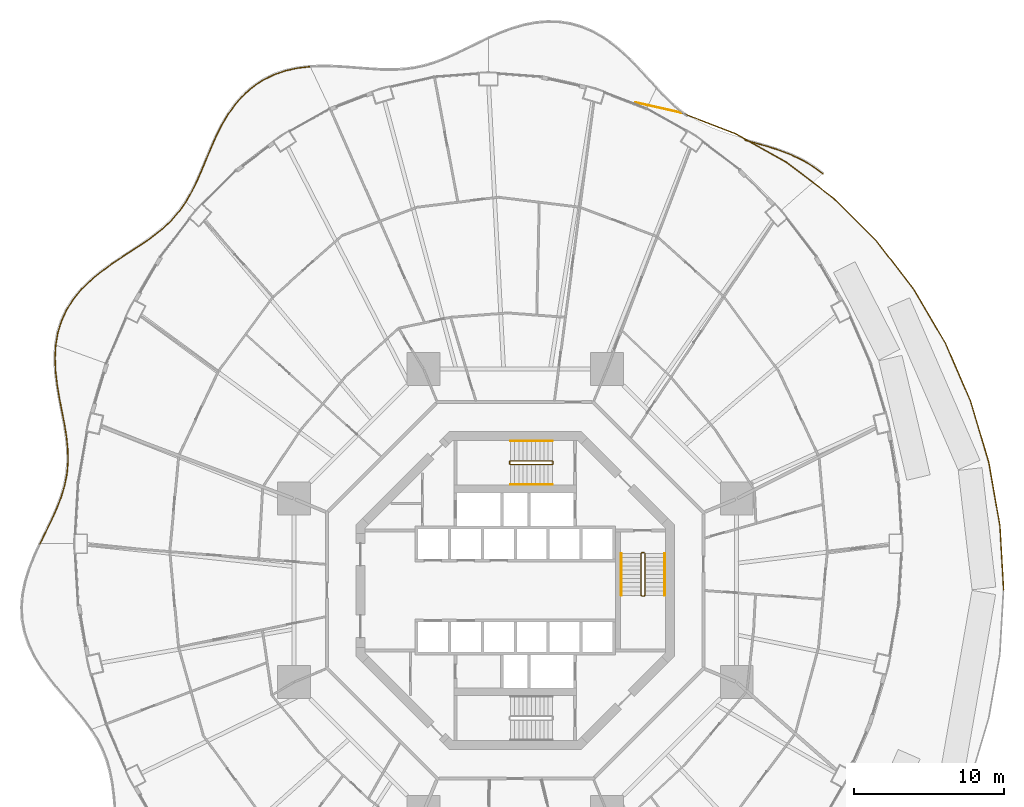
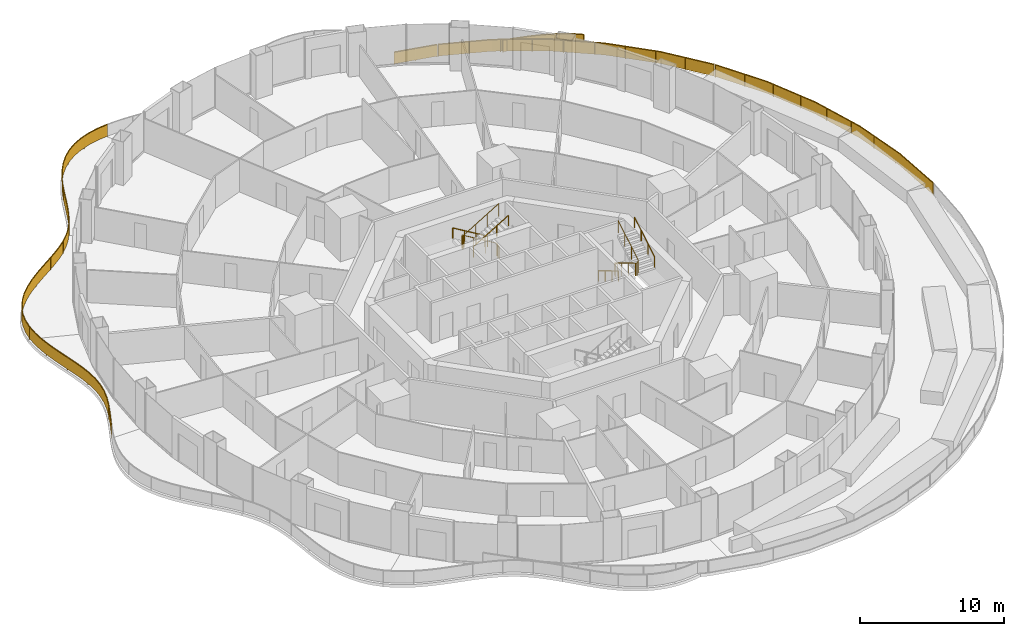
# One storey, part 21 of 22: 13 railings.
"""IFC4 building model written with IfcOpenShell, lengths in metres."""

from ifc_helpers import new_model, si_unit, direction, frame, origin, origin_2d, place, context, subcontext, project, spatial, polyline, rectangle, circle, outline, extrude, material, type_object, element, save


model = new_model("IFC4")

# Units and contexts
model_context = context("Model", 3, precision=1e-05, world=origin(), true_north=direction((0.0, 1.0)))
body_context = subcontext(model_context, "Body", "Model", "MODEL_VIEW")
ifc_project = project(units=[si_unit("LENGTHUNIT", "METRE"), si_unit("AREAUNIT", "SQUARE_METRE"), si_unit("VOLUMEUNIT", "CUBIC_METRE"), si_unit("PLANEANGLEUNIT", "RADIAN"), si_unit("MASSUNIT", "GRAM", prefix="KILO")], contexts=[model_context])

# Site, building, storey
site_placement = place(None, origin())
site = spatial("IfcSite", under=ifc_project, at=site_placement, CompositionType="ELEMENT")
building_placement = place(site_placement, origin())
building = spatial("IfcBuilding", under=site, at=building_placement, Name="Nagisa Residences", CompositionType="ELEMENT")
storey_placement = place(building_placement, frame((0.0, 0.0, 73.300048828125)))
storey = spatial("IfcBuildingStorey", under=building, at=storey_placement, Name="L17", CompositionType="ELEMENT", Elevation=73.300048828125)

# Railings
ifc_material_1 = material(Name="Stainless steel 316", Category="steel")
railing_type_1 = type_object("IfcRailingType", Name="BALCONY GUARD 1100", PredefinedType="BALUSTRADE", material=ifc_material_1)
railing_1_placement = place(storey_placement, frame((20.52734375, 27.8134765625, 0.0)))
element("IfcRailing", 1, at=railing_1_placement, inside=storey, type_object=railing_type_1, Name="guard:L17:bal02-0", PredefinedType="BALUSTRADE", context=body_context, shape_type="SweptSolid", body=[
    extrude(outline(polyline([(-0.656982421875, 0.46435546875), (-0.01513671875, -0.02001953125), (0.01513671875, 0.02001953125), (-0.629150390625, 0.505859375), (-1.34130859375, 0.93017578125), (-2.101806640625, 1.290283203125), (-2.8955078125, 1.595947265625), (-3.707275390625, 1.858154296875), (-4.5087890625, 2.080810546875), (-5.199951171875, 2.270263671875), (-5.213134765625, 2.221923828125), (-4.52197265625, 2.032470703125), (-3.721435546875, 1.810302734375), (-2.912109375, 1.548583984375), (-2.121337890625, 1.244384765625), (-1.36474609375, 0.8857421875), (-0.656982421875, 0.46435546875)])), frame((0.0, 0.0, 1.050048828125)), (0.0, 0.0, 1.0), 0.050048828125),
    extrude(outline(polyline([(-0.64697265625, 0.479248046875), (-0.004150390625, -0.005615234375), (0.004150390625, 0.005615234375), (-0.63916015625, 0.490966796875), (-1.349609375, 0.9140625), (-2.10888671875, 1.273681640625), (-2.9013671875, 1.578857421875), (-3.71240234375, 1.8408203125), (-4.513427734375, 2.0634765625), (-5.20458984375, 2.2529296875), (-5.20849609375, 2.2392578125), (-4.517333984375, 2.0498046875), (-3.71630859375, 1.82763671875), (-2.90625, 1.565673828125), (-2.1142578125, 1.260986328125), (-1.3564453125, 0.90185546875), (-0.64697265625, 0.479248046875)])), frame((0.0, 0.0, 0.06005859375)), (0.0, 0.0, 1.0), 0.989990234375),
    extrude(rectangle(XDim=0.0400390625, YDim=0.0400390625, at=origin_2d()), origin(), (0.0, 0.0, 1.0), 1.050048828125),
    extrude(rectangle(XDim=0.0400390625, YDim=0.0400390625, at=origin_2d()), frame((-1.601318359375, 1.025634765625, 0.0)), (0.0, 0.0, 1.0), 1.050048828125),
    extrude(rectangle(XDim=0.0400390625, YDim=0.0400390625, at=origin_2d()), frame((-3.373046875, 1.723876953125, 0.0)), (0.0, 0.0, 1.0), 1.050048828125),
    extrude(rectangle(XDim=0.0400390625, YDim=0.0400390625, at=origin_2d()), frame((-5.20654296875, 2.24609375, 0.0)), (0.0, 0.0, 1.0), 1.050048828125),
])
railing_2_placement = place(storey_placement, frame((-13.686279296875, 34.9658203125, 0.0)))
element("IfcRailing", 2, at=railing_2_placement, inside=storey, type_object=railing_type_1, Name="guard:L17:bal05-0", PredefinedType="BALUSTRADE", context=body_context, shape_type="SweptSolid", body=[
    extrude(outline(polyline([(-0.829833984375, -0.119873046875), (0.0029296875, -0.02490234375), (-0.0029296875, 0.02490234375), (-0.838134765625, -0.070556640625), (-1.656494140625, -0.250244140625), (-2.4375, -0.5185546875), (-3.171142578125, -0.8798828125), (-3.847412109375, -1.33203125), (-4.451416015625, -1.863525390625), (-5.00439453125, -2.48046875), (-5.4951171875, -3.16162109375), (-5.9287109375, -3.891845703125), (-6.31396484375, -4.654052734375), (-6.6494140625, -5.420654296875), (-6.973876953125, -6.1962890625), (-7.2890625, -6.955322265625), (-7.61083984375, -7.685302734375), (-7.953369140625, -8.37646484375), (-8.324951171875, -9.018310546875), (-8.281494140625, -9.043212890625), (-7.909423828125, -8.39990234375), (-7.5654296875, -7.706298828125), (-7.2431640625, -6.974853515625), (-6.927490234375, -6.21533203125), (-6.603515625, -5.440185546875), (-6.2685546875, -4.675537109375), (-5.884765625, -3.915771484375), (-5.453125, -3.18896484375), (-4.96533203125, -2.51171875), (-4.416259765625, -1.899169921875), (-3.816650390625, -1.37158203125), (-3.146240234375, -0.92333984375), (-2.41845703125, -0.56494140625), (-1.642822265625, -0.298583984375), (-0.829833984375, -0.119873046875)])), frame((0.0, 0.0, 1.050048828125)), (0.0, 0.0, 1.0), 0.050048828125),
    extrude(outline(polyline([(-0.832763671875, -0.10205078125), (0.000732421875, -0.0068359375), (-0.000732421875, 0.0068359375), (-0.835205078125, -0.08837890625), (-1.651611328125, -0.267578125), (-2.4306640625, -0.53515625), (-3.162109375, -0.8955078125), (-3.83642578125, -1.34619140625), (-4.438720703125, -1.87646484375), (-4.990234375, -2.49169921875), (-5.47998046875, -3.17138671875), (-5.912841796875, -3.900390625), (-6.297607421875, -4.661865234375), (-6.6328125, -5.427734375), (-6.95703125, -6.203125), (-7.2724609375, -6.96240234375), (-7.594482421875, -7.69287109375), (-7.9375, -8.384765625), (-8.309326171875, -9.02734375), (-8.297119140625, -9.0341796875), (-7.92529296875, -8.3916015625), (-7.581787109375, -7.69873046875), (-7.259765625, -6.9677734375), (-6.9443359375, -6.20849609375), (-6.6201171875, -5.43310546875), (-6.284912109375, -4.667724609375), (-5.900634765625, -3.9072265625), (-5.46826171875, -3.17919921875), (-4.9794921875, -2.50048828125), (-4.428955078125, -1.88623046875), (-3.82763671875, -1.357421875), (-3.1552734375, -0.90771484375), (-2.42529296875, -0.54833984375), (-1.647705078125, -0.28125), (-0.832763671875, -0.10205078125)])), frame((0.0, 0.0, 0.06005859375)), (0.0, 0.0, 1.0), 0.989990234375),
    extrude(rectangle(XDim=0.0400390625, YDim=0.0400390625, at=origin_2d()), origin(), (0.0, 0.0, 1.0), 1.050048828125),
    extrude(rectangle(XDim=0.0400390625, YDim=0.0400390625, at=origin_2d()), frame((-2.130615234375, -0.439697265625, 0.0)), (0.0, 0.0, 1.0), 1.050048828125),
    extrude(rectangle(XDim=0.0400390625, YDim=0.0400390625, at=origin_2d()), frame((-4.015380859375, -1.51318359375, 0.0)), (0.0, 0.0, 1.0), 1.050048828125),
    extrude(rectangle(XDim=0.0400390625, YDim=0.0400390625, at=origin_2d()), frame((-5.452392578125, -3.145263671875, 0.0)), (0.0, 0.0, 1.0), 1.050048828125),
    extrude(rectangle(XDim=0.0400390625, YDim=0.0400390625, at=origin_2d()), frame((-6.47021484375, -5.073486328125, 0.0)), (0.0, 0.0, 1.0), 1.050048828125),
    extrude(rectangle(XDim=0.0400390625, YDim=0.0400390625, at=origin_2d()), frame((-7.31884765625, -7.084716796875, 0.0)), (0.0, 0.0, 1.0), 1.050048828125),
    extrude(rectangle(XDim=0.0400390625, YDim=0.0400390625, at=origin_2d()), frame((-8.30322265625, -9.03076171875, 0.0)), (0.0, 0.0, 1.0), 1.050048828125),
])
railing_3_placement = place(storey_placement, frame((-21.989501953125, 25.93505859375, 0.0)))
element("IfcRailing", 3, at=railing_3_placement, inside=storey, type_object=railing_type_1, Name="guard:L17:bal06-0", PredefinedType="BALUSTRADE", context=body_context, shape_type="SweptSolid", body=[
    extrude(outline(polyline([(-0.4189453125, -0.639892578125), (0.0205078125, -0.014404296875), (-0.0205078125, 0.014404296875), (-0.45849609375, -0.609130859375), (-0.957275390625, -1.188232421875), (-1.51611328125, -1.72412109375), (-2.1328125, -2.225830078125), (-2.80078125, -2.704833984375), (-3.49951171875, -3.162353515625), (-4.22998046875, -3.636962890625), (-4.96484375, -4.129638671875), (-5.6826171875, -4.65185546875), (-6.36181640625, -5.2138671875), (-6.975830078125, -5.808837890625), (-7.52001953125, -6.467529296875), (-7.972412109375, -7.176513671875), (-8.32421875, -7.932861328125), (-8.571044921875, -8.731201171875), (-8.711669921875, -9.555419921875), (-8.662353515625, -9.563720703125), (-8.522216796875, -8.742919921875), (-8.27734375, -7.950927734375), (-7.928466796875, -7.200439453125), (-7.4794921875, -6.496826171875), (-6.939208984375, -5.843017578125), (-6.32861328125, -5.2509765625), (-5.65185546875, -4.69140625), (-4.93603515625, -4.170654296875), (-4.20263671875, -3.678955078125), (-3.47216796875, -3.204345703125), (-2.7724609375, -2.746337890625), (-2.1025390625, -2.265380859375), (-1.48291015625, -1.76171875), (-0.921142578125, -1.222900390625), (-0.4189453125, -0.639892578125)])), frame((0.0, 0.0, 1.050048828125)), (0.0, 0.0, 1.0), 0.050048828125),
    extrude(outline(polyline([(-0.43310546875, -0.62890625), (0.005615234375, -0.00390625), (-0.005615234375, 0.00390625), (-0.4443359375, -0.6201171875), (-0.9443359375, -1.20068359375), (-1.504150390625, -1.737548828125), (-2.121826171875, -2.239990234375), (-2.79052734375, -2.7197265625), (-3.48974609375, -3.177490234375), (-4.22021484375, -3.652099609375), (-4.954345703125, -4.144287109375), (-5.671630859375, -4.666015625), (-6.349853515625, -5.227294921875), (-6.962646484375, -5.8212890625), (-7.50537109375, -6.47802734375), (-7.95654296875, -7.18505859375), (-8.307373046875, -7.939453125), (-8.553466796875, -8.7353515625), (-8.69384765625, -9.558349609375), (-8.68017578125, -9.560791015625), (-8.539794921875, -8.73876953125), (-8.294189453125, -7.9443359375), (-7.9443359375, -7.19189453125), (-7.494140625, -6.486328125), (-6.952392578125, -5.83056640625), (-6.340576171875, -5.237548828125), (-5.662841796875, -4.67724609375), (-4.946533203125, -4.156005859375), (-4.21240234375, -3.663818359375), (-3.48193359375, -3.189208984375), (-2.78271484375, -2.7314453125), (-2.113525390625, -2.251220703125), (-1.494873046875, -1.748291015625), (-0.93408203125, -1.21044921875), (-0.43310546875, -0.62890625)])), frame((0.0, 0.0, 0.06005859375)), (0.0, 0.0, 1.0), 0.989990234375),
    extrude(rectangle(XDim=0.0400390625, YDim=0.0400390625, at=origin_2d()), origin(), (0.0, 0.0, 1.0), 1.050048828125),
    extrude(rectangle(XDim=0.0400390625, YDim=0.0400390625, at=origin_2d()), frame((-1.4375, -1.683349609375, 0.0)), (0.0, 0.0, 1.0), 1.050048828125),
    extrude(rectangle(XDim=0.0400390625, YDim=0.0400390625, at=origin_2d()), frame((-3.217041015625, -3.00732421875, 0.0)), (0.0, 0.0, 1.0), 1.050048828125),
    extrude(rectangle(XDim=0.0400390625, YDim=0.0400390625, at=origin_2d()), frame((-5.067138671875, -4.235107421875, 0.0)), (0.0, 0.0, 1.0), 1.050048828125),
    extrude(rectangle(XDim=0.0400390625, YDim=0.0400390625, at=origin_2d()), frame((-6.77490234375, -5.64892578125, 0.0)), (0.0, 0.0, 1.0), 1.050048828125),
    extrude(rectangle(XDim=0.0400390625, YDim=0.0400390625, at=origin_2d()), frame((-8.0673828125, -7.439697265625, 0.0)), (0.0, 0.0, 1.0), 1.050048828125),
    extrude(rectangle(XDim=0.0400390625, YDim=0.0400390625, at=origin_2d()), frame((-8.68701171875, -9.5595703125, 0.0)), (0.0, 0.0, 1.0), 1.050048828125),
])
railing_4_placement = place(storey_placement, frame((-30.676513671875, 16.37548828125, 0.0)))
element("IfcRailing", 4, at=railing_4_placement, inside=storey, type_object=railing_type_1, Name="guard:L17:bal07-0", PredefinedType="BALUSTRADE", context=body_context, shape_type="SweptSolid", body=[
    extrude(outline(polyline([(-0.0205078125, -0.875), (0.02490234375, -0.001220703125), (-0.02490234375, 0.001220703125), (-0.07080078125, -0.875), (-0.03125, -1.7744140625), (0.075927734375, -2.678466796875), (0.227294921875, -3.576904296875), (0.39794921875, -4.46240234375), (0.5654296875, -5.31494140625), (0.69873046875, -6.15869140625), (0.7802734375, -6.979736328125), (0.793701171875, -7.780029296875), (0.728515625, -8.56396484375), (0.58251953125, -9.32373046875), (0.35546875, -10.09326171875), (0.058349609375, -10.8662109375), (-0.29296875, -11.647705078125), (-0.677490234375, -12.442626953125), (-1.071044921875, -13.246826171875), (-1.026123046875, -13.268798828125), (-0.632568359375, -12.464599609375), (-0.24755859375, -11.668701171875), (0.104736328125, -10.88525390625), (0.40283203125, -10.109375), (0.63134765625, -9.33544921875), (0.7783203125, -8.57080078125), (0.843994140625, -7.781494140625), (0.830078125, -6.976806640625), (0.74853515625, -6.15234375), (0.61474609375, -5.30615234375), (0.447265625, -4.45263671875), (0.276611328125, -3.568115234375), (0.125244140625, -2.671142578125), (0.0185546875, -1.7705078125), (-0.0205078125, -0.875)])), frame((0.0, 0.0, 1.050048828125)), (0.0, 0.0, 1.0), 0.050048828125),
    extrude(outline(polyline([(-0.03857421875, -0.875), (0.007080078125, -0.000244140625), (-0.007080078125, 0.000244140625), (-0.052734375, -0.875), (-0.013427734375, -1.77294921875), (0.09375, -2.67578125), (0.2451171875, -3.57373046875), (0.415771484375, -4.458740234375), (0.583251953125, -5.311767578125), (0.716796875, -6.156494140625), (0.798095703125, -6.978759765625), (0.811767578125, -7.780517578125), (0.74658203125, -8.56640625), (0.60009765625, -9.327880859375), (0.37255859375, -10.09912109375), (0.0751953125, -10.873046875), (-0.276611328125, -11.6552734375), (-0.661376953125, -12.450439453125), (-1.054931640625, -13.254638671875), (-1.042236328125, -13.260986328125), (-0.648681640625, -12.456787109375), (-0.263916015625, -11.6611328125), (0.087890625, -10.87841796875), (0.3857421875, -10.103515625), (0.61376953125, -9.331298828125), (0.76025390625, -8.568359375), (0.825927734375, -7.781005859375), (0.812255859375, -6.977783203125), (0.73046875, -6.154541015625), (0.596923828125, -5.309326171875), (0.429443359375, -4.456298828125), (0.2587890625, -3.5712890625), (0.107421875, -2.673828125), (0.000732421875, -1.77197265625), (-0.03857421875, -0.875)])), frame((0.0, 0.0, 0.06005859375)), (0.0, 0.0, 1.0), 0.989990234375),
    extrude(rectangle(XDim=0.0400390625, YDim=0.0400390625, at=origin_2d()), origin(), (0.0, 0.0, 1.0), 1.050048828125),
    extrude(rectangle(XDim=0.0400390625, YDim=0.0400390625, at=origin_2d()), frame((0.05322265625, -2.275390625, 0.0)), (0.0, 0.0, 1.0), 1.050048828125),
    extrude(rectangle(XDim=0.0400390625, YDim=0.0400390625, at=origin_2d()), frame((0.435546875, -4.523193359375, 0.0)), (0.0, 0.0, 1.0), 1.050048828125),
    extrude(rectangle(XDim=0.0400390625, YDim=0.0400390625, at=origin_2d()), frame((0.78515625, -6.775634765625, 0.0)), (0.0, 0.0, 1.0), 1.050048828125),
    extrude(rectangle(XDim=0.0400390625, YDim=0.0400390625, at=origin_2d()), frame((0.661865234375, -9.0439453125, 0.0)), (0.0, 0.0, 1.0), 1.050048828125),
    extrude(rectangle(XDim=0.0400390625, YDim=0.0400390625, at=origin_2d()), frame((-0.064453125, -11.200439453125, 0.0)), (0.0, 0.0, 1.0), 1.050048828125),
    extrude(rectangle(XDim=0.0400390625, YDim=0.0400390625, at=origin_2d()), frame((-1.048583984375, -13.2578125, 0.0)), (0.0, 0.0, 1.0), 1.050048828125),
])
ifc_material_2 = material(Name="Stainless steel 316", Category="steel")
railing_type_2 = type_object("IfcRailingType", Name="ROOF GUARD 1100", PredefinedType="GUARDRAIL", material=ifc_material_2)
railing_5_placement = place(storey_placement, frame((32.59765625, 0.0400390625, 0.0)))
element("IfcRailing", 5, at=railing_5_placement, inside=storey, type_object=railing_type_2, Name="guard:L17:garden00", PredefinedType="GUARDRAIL", context=body_context, shape_type="SweptSolid", body=[
    extrude(outline(polyline([(-0.270751953125, 4.264404296875), (-0.02490234375, -0.00146484375), (0.02490234375, 0.00146484375), (-0.220947265625, 4.270263671875), (-0.96142578125, 8.5068359375), (-2.181640625, 12.59716796875), (-3.8603515625, 16.471435546875), (-5.94873046875, 20.02734375), (-5.99169921875, 20.001953125), (-3.9052734375, 16.448486328125), (-2.228515625, 12.580078125), (-1.01025390625, 8.4951171875), (-0.270751953125, 4.264404296875)])), frame((0.0, 0.0, 1.050048828125)), (0.0, 0.0, 1.0), 0.050048828125),
    extrude(outline(polyline([(-0.2529296875, 4.2666015625), (-0.007080078125, -0.00048828125), (0.007080078125, 0.00048828125), (-0.23876953125, 4.26806640625), (-0.97900390625, 8.502685546875), (-2.198486328125, 12.591064453125), (-3.87646484375, 16.463134765625), (-5.964111328125, 20.018310546875), (-5.976318359375, 20.010986328125), (-3.88916015625, 16.456787109375), (-2.211669921875, 12.586181640625), (-0.99267578125, 8.499267578125), (-0.2529296875, 4.2666015625)])), frame((0.0, 0.0, 0.06005859375)), (0.0, 0.0, 1.0), 0.989990234375),
    extrude(rectangle(XDim=0.0400390625, YDim=0.0400390625, at=origin_2d()), origin(), (0.0, 0.0, 1.0), 1.050048828125),
    extrude(rectangle(XDim=0.0400390625, YDim=0.0400390625, at=origin_2d()), frame((-0.13525390625, 2.349365234375, 0.0)), (0.0, 0.0, 1.0), 1.050048828125),
    extrude(rectangle(XDim=0.0400390625, YDim=0.0400390625, at=origin_2d()), frame((-0.3203125, 4.693115234375, 0.0)), (0.0, 0.0, 1.0), 1.050048828125),
    extrude(rectangle(XDim=0.0400390625, YDim=0.0400390625, at=origin_2d()), frame((-0.725341796875, 7.01123046875, 0.0)), (0.0, 0.0, 1.0), 1.050048828125),
    extrude(rectangle(XDim=0.0400390625, YDim=0.0400390625, at=origin_2d()), frame((-1.22607421875, 9.306640625, 0.0)), (0.0, 0.0, 1.0), 1.050048828125),
    extrude(rectangle(XDim=0.0400390625, YDim=0.0400390625, at=origin_2d()), frame((-1.898681640625, 11.561767578125, 0.0)), (0.0, 0.0, 1.0), 1.050048828125),
    extrude(rectangle(XDim=0.0400390625, YDim=0.0400390625, at=origin_2d()), frame((-2.71484375, 13.7646484375, 0.0)), (0.0, 0.0, 1.0), 1.050048828125),
    extrude(rectangle(XDim=0.0400390625, YDim=0.0400390625, at=origin_2d()), frame((-3.650390625, 15.923828125, 0.0)), (0.0, 0.0, 1.0), 1.050048828125),
    extrude(rectangle(XDim=0.0400390625, YDim=0.0400390625, at=origin_2d()), frame((-4.778564453125, 17.9853515625, 0.0)), (0.0, 0.0, 1.0), 1.050048828125),
    extrude(rectangle(XDim=0.0400390625, YDim=0.0400390625, at=origin_2d()), frame((-5.97021484375, 20.0146484375, 0.0)), (0.0, 0.0, 1.0), 1.050048828125),
])
railing_6_placement = place(storey_placement, frame((26.582763671875, 20.120849609375, 0.0)))
element("IfcRailing", 6, at=railing_6_placement, inside=storey, type_object=railing_type_2, Name="guard:L17:garden01", PredefinedType="GUARDRAIL", context=body_context, shape_type="SweptSolid", body=[
    extrude(outline(polyline([(-2.495361328125, 3.197021484375), (-0.019775390625, -0.015380859375), (0.019775390625, 0.015380859375), (-2.457763671875, 3.230224609375), (-5.31201171875, 6.07861328125), (-8.468994140625, 8.47900390625), (-11.874267578125, 10.389892578125), (-15.4306640625, 11.763671875), (-15.44873046875, 11.716796875), (-11.895751953125, 10.344482421875), (-8.496337890625, 8.43701171875), (-5.34521484375, 6.041015625), (-2.495361328125, 3.197021484375)])), frame((0.0, 0.0, 1.050048828125)), (0.0, 0.0, 1.0), 0.050048828125),
    extrude(outline(polyline([(-2.48193359375, 3.208984375), (-0.005615234375, -0.00439453125), (0.005615234375, 0.00439453125), (-2.47119140625, 3.21826171875), (-5.323974609375, 6.065185546875), (-8.478759765625, 8.4638671875), (-11.882080078125, 10.37353515625), (-15.437255859375, 11.746826171875), (-15.442138671875, 11.733642578125), (-11.887939453125, 10.36083984375), (-8.486572265625, 8.4521484375), (-5.333251953125, 6.054443359375), (-2.48193359375, 3.208984375)])), frame((0.0, 0.0, 0.06005859375)), (0.0, 0.0, 1.0), 0.989990234375),
    extrude(rectangle(XDim=0.0400390625, YDim=0.0400390625, at=origin_2d()), origin(), (0.0, 0.0, 1.0), 1.050048828125),
    extrude(rectangle(XDim=0.0400390625, YDim=0.0400390625, at=origin_2d()), frame((-1.34033203125, 1.739013671875, 0.0)), (0.0, 0.0, 1.0), 1.050048828125),
    extrude(rectangle(XDim=0.0400390625, YDim=0.0400390625, at=origin_2d()), frame((-2.713134765625, 3.44970703125, 0.0)), (0.0, 0.0, 1.0), 1.050048828125),
    extrude(rectangle(XDim=0.0400390625, YDim=0.0400390625, at=origin_2d()), frame((-4.26708984375, 5.00048828125, 0.0)), (0.0, 0.0, 1.0), 1.050048828125),
    extrude(rectangle(XDim=0.0400390625, YDim=0.0400390625, at=origin_2d()), frame((-5.8828125, 6.481201171875, 0.0)), (0.0, 0.0, 1.0), 1.050048828125),
    extrude(rectangle(XDim=0.0400390625, YDim=0.0400390625, at=origin_2d()), frame((-7.630615234375, 7.81005859375, 0.0)), (0.0, 0.0, 1.0), 1.050048828125),
    extrude(rectangle(XDim=0.0400390625, YDim=0.0400390625, at=origin_2d()), frame((-9.4638671875, 9.008544921875, 0.0)), (0.0, 0.0, 1.0), 1.050048828125),
    extrude(rectangle(XDim=0.0400390625, YDim=0.0400390625, at=origin_2d()), frame((-11.378662109375, 10.0830078125, 0.0)), (0.0, 0.0, 1.0), 1.050048828125),
    extrude(rectangle(XDim=0.0400390625, YDim=0.0400390625, at=origin_2d()), frame((-13.3916015625, 10.94921875, 0.0)), (0.0, 0.0, 1.0), 1.050048828125),
    extrude(rectangle(XDim=0.0400390625, YDim=0.0400390625, at=origin_2d()), frame((-15.439697265625, 11.740234375, 0.0)), (0.0, 0.0, 1.0), 1.050048828125),
])
railing_7_placement = place(storey_placement, frame((11.066650390625, 31.88427734375, 0.0)))
element("IfcRailing", 7, at=railing_7_placement, inside=storey, type_object=railing_type_2, Name="guard:L17:garden02", PredefinedType="GUARDRAIL", context=body_context, shape_type="SweptSolid", body=[
    extrude(outline(polyline([(-3.0595703125, 0.6669921875), (-0.005615234375, -0.0244140625), (0.005615234375, 0.0244140625), (-3.04833984375, 0.7158203125), (-3.0595703125, 0.6669921875)])), frame((0.0, 0.0, 1.050048828125)), (0.0, 0.0, 1.0), 0.050048828125),
    extrude(outline(polyline([(-3.055419921875, 0.6845703125), (-0.00146484375, -0.0068359375), (0.00146484375, 0.0068359375), (-3.052490234375, 0.6982421875), (-3.055419921875, 0.6845703125)])), frame((0.0, 0.0, 0.06005859375)), (0.0, 0.0, 1.0), 0.989990234375),
    extrude(rectangle(XDim=0.0400390625, YDim=0.0400390625, at=origin_2d()), origin(), (0.0, 0.0, 1.0), 1.050048828125),
    extrude(rectangle(XDim=0.0400390625, YDim=0.0400390625, at=origin_2d()), frame((-1.52685546875, 0.345703125, 0.0)), (0.0, 0.0, 1.0), 1.050048828125),
    extrude(rectangle(XDim=0.0400390625, YDim=0.0400390625, at=origin_2d()), frame((-3.053955078125, 0.69140625, 0.0)), (0.0, 0.0, 1.0), 1.050048828125),
])
ifc_material_3 = material(Name="Stainless steel", Category="steel")
railing_type_3 = type_object("IfcRailingType", Name="Stair guard 1100", PredefinedType="GUARDRAIL", material=ifc_material_3)
railing_8_placement = place(storey_placement, frame((8.599609375, 2.52490234375, 0.0)))
element("IfcRailing", 8, at=railing_8_placement, inside=storey, type_object=railing_type_3, Name="L17 ST-E stair guard 1", PredefinedType="GUARDRAIL", context=body_context, shape_type="SweptSolid", body=[
    extrude(circle(Radius=0.02392578125, at=origin_2d()), frame((0.0, 0.0, 1.076171875), z_axis=(-1.0, 0.0, 0.0), x_axis=(0.0, -1.0, 0.0)), (0.0, 0.0, 1.0), 0.14990234375),
    extrude(circle(Radius=0.02392578125, at=origin_2d()), frame((-0.14990234375, 0.0, 1.076171875), z_axis=(-0.27434429532, -0.273006030465, 0.922064485248), x_axis=(0.705375805398, -0.708833529934, 0.0)), (0.0, 0.0, 1.0), 0.182373046875),
    extrude(circle(Radius=0.02392578125, at=origin_2d()), frame((-0.199951171875, -0.0498046875, 1.244140625), z_axis=(0.0, -0.857275202839, 0.514858452973), x_axis=(1.0, 0.0, 0.0)), (0.0, 0.0, 1.0), 3.26611328125),
    extrude(circle(Radius=0.02392578125, at=origin_2d()), frame((-0.199951171875, -2.849853515625, 2.92578125), z_axis=(0.707106781187, -0.707106781187, 0.0), x_axis=(0.707106781187, 0.707106781187, 0.0)), (0.0, 0.0, 1.0), 0.07080078125),
    extrude(circle(Radius=0.02392578125, at=origin_2d()), frame((-0.14990234375, -2.89990234375, 2.92578125), z_axis=(1.0, 0.0, 0.0), x_axis=(0.0, 1.0, 0.0)), (0.0, 0.0, 1.0), 0.14990234375),
    extrude(circle(Radius=0.02392578125, at=origin_2d()), frame((0.0, -2.89990234375, 2.92578125), z_axis=(0.274243871929, 0.274243871929, 0.92172696468), x_axis=(-0.707106781187, 0.707106781187, 0.0)), (0.0, 0.0, 1.0), 0.1826171875),
    extrude(circle(Radius=0.02392578125, at=origin_2d()), frame((0.050048828125, -2.849853515625, 3.09423828125), z_axis=(0.0, 0.857242210791, 0.514913383045), x_axis=(-1.0, 0.0, 0.0)), (0.0, 0.0, 1.0), 3.266357421875),
    extrude(circle(Radius=0.02099609375, at=origin_2d()), origin(), (0.0, 0.0, 1.0), 1.052001953125),
    extrude(circle(Radius=0.02099609375, at=origin_2d()), frame((-0.14990234375, 0.0, 0.0)), (0.0, 0.0, 1.0), 1.052001953125),
    extrude(circle(Radius=0.02099609375, at=origin_2d()), frame((-0.199951171875, -0.0498046875, 0.168212890625)), (0.0, 0.0, 1.0), 1.052001953125),
    extrude(circle(Radius=0.02099609375, at=origin_2d()), frame((-0.199951171875, -0.983154296875, 0.728759765625)), (0.0, 0.0, 1.0), 1.052001953125),
    extrude(circle(Radius=0.02099609375, at=origin_2d()), frame((-0.199951171875, -1.91650390625, 1.289306640625)), (0.0, 0.0, 1.0), 1.052001953125),
    extrude(circle(Radius=0.02099609375, at=origin_2d()), frame((-0.199951171875, -2.849853515625, 1.849853515625)), (0.0, 0.0, 1.0), 1.052001953125),
    extrude(circle(Radius=0.02099609375, at=origin_2d()), frame((-0.14990234375, -2.89990234375, 1.849853515625)), (0.0, 0.0, 1.0), 1.052001953125),
    extrude(circle(Radius=0.02099609375, at=origin_2d()), frame((0.0, -2.89990234375, 1.849853515625)), (0.0, 0.0, 1.0), 1.052001953125),
    extrude(circle(Radius=0.02099609375, at=origin_2d()), frame((0.050048828125, -2.849853515625, 2.01806640625)), (0.0, 0.0, 1.0), 1.052001953125),
    extrude(circle(Radius=0.02099609375, at=origin_2d()), frame((0.050048828125, -1.91650390625, 2.57861328125)), (0.0, 0.0, 1.0), 1.052001953125),
    extrude(circle(Radius=0.02099609375, at=origin_2d()), frame((0.050048828125, -0.983154296875, 3.139404296875)), (0.0, 0.0, 1.0), 1.052001953125),
    extrude(circle(Radius=0.02099609375, at=origin_2d()), frame((0.050048828125, -0.0498046875, 3.699951171875)), (0.0, 0.0, 1.0), 1.052001953125),
])
railing_9_placement = place(storey_placement, frame((2.52490234375, 8.44970703125, 0.0)))
element("IfcRailing", 9, at=railing_9_placement, inside=storey, type_object=railing_type_3, Name="L17 ST-N stair guard 1", PredefinedType="GUARDRAIL", context=body_context, shape_type="SweptSolid", body=[
    extrude(circle(Radius=0.02392578125, at=origin_2d()), frame((0.0, 0.0, 1.076171875), z_axis=(0.0, 1.0, 0.0), x_axis=(-1.0, 0.0, 0.0)), (0.0, 0.0, 1.0), 0.14990234375),
    extrude(circle(Radius=0.02392578125, at=origin_2d()), frame((0.0, 0.14990234375, 1.076171875), z_axis=(-0.273006030465, 0.27434429532, 0.922064485248), x_axis=(-0.708833529934, -0.705375805398, 0.0)), (0.0, 0.0, 1.0), 0.182373046875),
    extrude(circle(Radius=0.02392578125, at=origin_2d()), frame((-0.0498046875, 0.199951171875, 1.244140625), z_axis=(-0.857275202839, 0.0, 0.514858452973), x_axis=(0.0, -1.0, 0.0)), (0.0, 0.0, 1.0), 3.26611328125),
    extrude(circle(Radius=0.02392578125, at=origin_2d()), frame((-2.849853515625, 0.199951171875, 2.92578125), z_axis=(-0.707106781187, -0.707106781187, 0.0), x_axis=(0.707106781187, -0.707106781187, 0.0)), (0.0, 0.0, 1.0), 0.07080078125),
    extrude(circle(Radius=0.02392578125, at=origin_2d()), frame((-2.89990234375, 0.14990234375, 2.92578125), z_axis=(0.0, -1.0, 0.0), x_axis=(1.0, 0.0, 0.0)), (0.0, 0.0, 1.0), 0.14990234375),
    extrude(circle(Radius=0.02392578125, at=origin_2d()), frame((-2.89990234375, 0.0, 2.92578125), z_axis=(0.274243871929, -0.274243871929, 0.92172696468), x_axis=(0.707106781187, 0.707106781187, 0.0)), (0.0, 0.0, 1.0), 0.1826171875),
    extrude(circle(Radius=0.02392578125, at=origin_2d()), frame((-2.849853515625, -0.050048828125, 3.09423828125), z_axis=(0.857242210791, 0.0, 0.514913383045), x_axis=(0.0, 1.0, 0.0)), (0.0, 0.0, 1.0), 3.266357421875),
    extrude(circle(Radius=0.02099609375, at=origin_2d()), origin(), (0.0, 0.0, 1.0), 1.052001953125),
    extrude(circle(Radius=0.02099609375, at=origin_2d()), frame((0.0, 0.14990234375, 0.0)), (0.0, 0.0, 1.0), 1.052001953125),
    extrude(circle(Radius=0.02099609375, at=origin_2d()), frame((-0.0498046875, 0.199951171875, 0.168212890625)), (0.0, 0.0, 1.0), 1.052001953125),
    extrude(circle(Radius=0.02099609375, at=origin_2d()), frame((-0.983154296875, 0.199951171875, 0.728759765625)), (0.0, 0.0, 1.0), 1.052001953125),
    extrude(circle(Radius=0.02099609375, at=origin_2d()), frame((-1.91650390625, 0.199951171875, 1.289306640625)), (0.0, 0.0, 1.0), 1.052001953125),
    extrude(circle(Radius=0.02099609375, at=origin_2d()), frame((-2.849853515625, 0.199951171875, 1.849853515625)), (0.0, 0.0, 1.0), 1.052001953125),
    extrude(circle(Radius=0.02099609375, at=origin_2d()), frame((-2.89990234375, 0.14990234375, 1.849853515625)), (0.0, 0.0, 1.0), 1.052001953125),
    extrude(circle(Radius=0.02099609375, at=origin_2d()), frame((-2.89990234375, 0.0, 1.849853515625)), (0.0, 0.0, 1.0), 1.052001953125),
    extrude(circle(Radius=0.02099609375, at=origin_2d()), frame((-2.849853515625, -0.050048828125, 2.01806640625)), (0.0, 0.0, 1.0), 1.052001953125),
    extrude(circle(Radius=0.02099609375, at=origin_2d()), frame((-1.91650390625, -0.050048828125, 2.57861328125)), (0.0, 0.0, 1.0), 1.052001953125),
    extrude(circle(Radius=0.02099609375, at=origin_2d()), frame((-0.983154296875, -0.050048828125, 3.139404296875)), (0.0, 0.0, 1.0), 1.052001953125),
    extrude(circle(Radius=0.02099609375, at=origin_2d()), frame((-0.0498046875, -0.050048828125, 3.699951171875)), (0.0, 0.0, 1.0), 1.052001953125),
])
ifc_material_4 = material(Name="Stainless steel", Category="steel")
railing_type_4 = type_object("IfcRailingType", Name="Stair handrail 900", PredefinedType="HANDRAIL", material=ifc_material_4)
railing_10_placement = place(storey_placement, frame((7.07470703125, 2.47509765625, 0.168212890625)))
element("IfcRailing", 10, at=railing_10_placement, inside=storey, type_object=railing_type_4, Name="L17 ST-E stair handrail 1", PredefinedType="HANDRAIL", context=body_context, shape_type="SweptSolid", body=[
    extrude(circle(Radius=0.02392578125, at=origin_2d()), frame((0.0, 0.0, 0.8759765625), z_axis=(0.0, -0.857275202839, 0.514858452973), x_axis=(1.0, 0.0, 0.0)), (0.0, 0.0, 1.0), 3.26611328125),
    extrude(circle(Radius=0.02099609375, at=origin_2d()), origin(), (0.0, 0.0, 1.0), 0.851806640625),
    extrude(circle(Radius=0.02099609375, at=origin_2d()), frame((0.0, -0.933349609375, 0.560546875)), (0.0, 0.0, 1.0), 0.851806640625),
    extrude(circle(Radius=0.02099609375, at=origin_2d()), frame((0.0, -1.86669921875, 1.12109375)), (0.0, 0.0, 1.0), 0.851806640625),
    extrude(circle(Radius=0.02099609375, at=origin_2d()), frame((0.0, -2.800048828125, 1.681640625)), (0.0, 0.0, 1.0), 0.851806640625),
])
railing_11_placement = place(storey_placement, frame((9.974609375, -0.324951171875, 2.01806640625)))
element("IfcRailing", 11, at=railing_11_placement, inside=storey, type_object=railing_type_4, Name="L17 ST-E stair handrail 2", PredefinedType="HANDRAIL", context=body_context, shape_type="SweptSolid", body=[
    extrude(circle(Radius=0.02392578125, at=origin_2d()), frame((0.0, 0.0, 0.8759765625), z_axis=(0.0, 0.857242210791, 0.514913383045), x_axis=(-1.0, 0.0, 0.0)), (0.0, 0.0, 1.0), 3.266357421875),
    extrude(circle(Radius=0.02099609375, at=origin_2d()), origin(), (0.0, 0.0, 1.0), 0.851806640625),
    extrude(circle(Radius=0.02099609375, at=origin_2d()), frame((0.0, 0.933349609375, 0.560546875)), (0.0, 0.0, 1.0), 0.851806640625),
    extrude(circle(Radius=0.02099609375, at=origin_2d()), frame((0.0, 1.86669921875, 1.121337890625)), (0.0, 0.0, 1.0), 0.851806640625),
    extrude(circle(Radius=0.02099609375, at=origin_2d()), frame((0.0, 2.800048828125, 1.681884765625)), (0.0, 0.0, 1.0), 0.851806640625),
])
railing_12_placement = place(storey_placement, frame((2.47509765625, 9.974609375, 0.168212890625)))
element("IfcRailing", 12, at=railing_12_placement, inside=storey, type_object=railing_type_4, Name="L17 ST-N stair handrail 1", PredefinedType="HANDRAIL", context=body_context, shape_type="SweptSolid", body=[
    extrude(circle(Radius=0.02392578125, at=origin_2d()), frame((0.0, 0.0, 0.8759765625), z_axis=(-0.857275202839, 0.0, 0.514858452973), x_axis=(0.0, -1.0, 0.0)), (0.0, 0.0, 1.0), 3.26611328125),
    extrude(circle(Radius=0.02099609375, at=origin_2d()), origin(), (0.0, 0.0, 1.0), 0.851806640625),
    extrude(circle(Radius=0.02099609375, at=origin_2d()), frame((-0.933349609375, 0.0, 0.560546875)), (0.0, 0.0, 1.0), 0.851806640625),
    extrude(circle(Radius=0.02099609375, at=origin_2d()), frame((-1.86669921875, 0.0, 1.12109375)), (0.0, 0.0, 1.0), 0.851806640625),
    extrude(circle(Radius=0.02099609375, at=origin_2d()), frame((-2.800048828125, 0.0, 1.681640625)), (0.0, 0.0, 1.0), 0.851806640625),
])
railing_13_placement = place(storey_placement, frame((-0.324951171875, 7.07470703125, 2.01806640625)))
element("IfcRailing", 13, at=railing_13_placement, inside=storey, type_object=railing_type_4, Name="L17 ST-N stair handrail 2", PredefinedType="HANDRAIL", context=body_context, shape_type="SweptSolid", body=[
    extrude(circle(Radius=0.02392578125, at=origin_2d()), frame((0.0, 0.0, 0.8759765625), z_axis=(0.857242210791, 0.0, 0.514913383045), x_axis=(0.0, 1.0, 0.0)), (0.0, 0.0, 1.0), 3.266357421875),
    extrude(circle(Radius=0.02099609375, at=origin_2d()), origin(), (0.0, 0.0, 1.0), 0.851806640625),
    extrude(circle(Radius=0.02099609375, at=origin_2d()), frame((0.933349609375, 0.0, 0.560546875)), (0.0, 0.0, 1.0), 0.851806640625),
    extrude(circle(Radius=0.02099609375, at=origin_2d()), frame((1.86669921875, 0.0, 1.121337890625)), (0.0, 0.0, 1.0), 0.851806640625),
    extrude(circle(Radius=0.02099609375, at=origin_2d()), frame((2.800048828125, 0.0, 1.681884765625)), (0.0, 0.0, 1.0), 0.851806640625),
])

save(model, "model.ifc")
